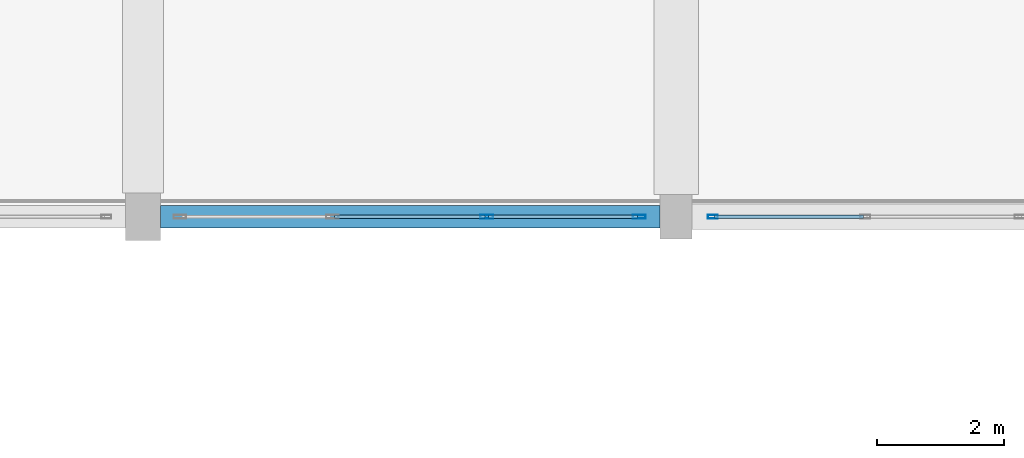
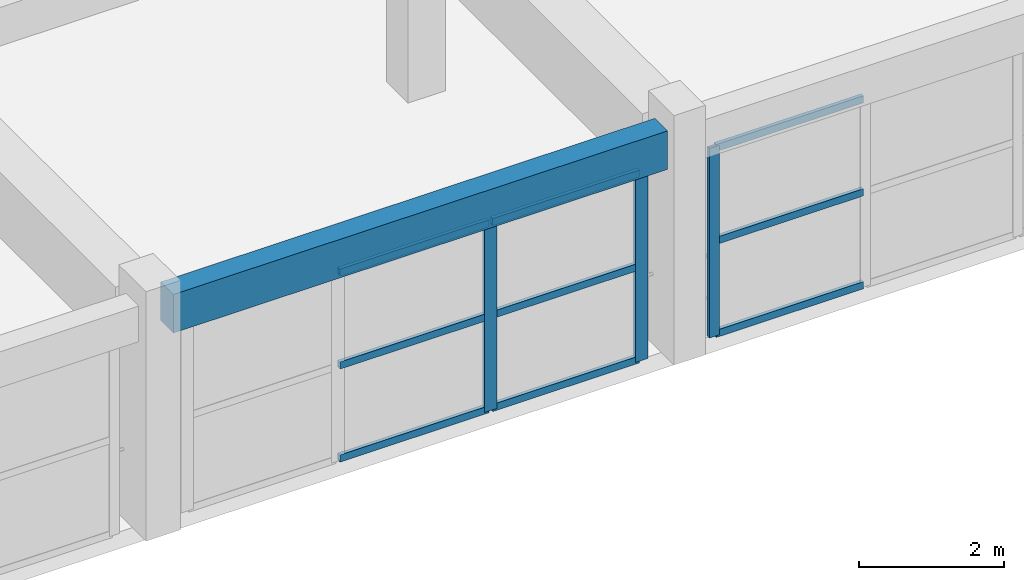
# One storey, part 17 of 74: 12 members, 1 beam, 2 elements without a shape of their own.
"""IFC4 building model written with IfcOpenShell, lengths in metres."""

from ifc_helpers import new_model, si_unit, direction, frame, origin, origin_2d, place, context, subcontext, project, spatial, rectangle, hollow_rectangle, extrude, material, material_profile, profile_set, type_object, element, aggregate, save


model = new_model("IFC4")

# Units and contexts
model_context = context("Model", 3, precision=1e-05, world=origin(), true_north=direction((0.0, 1.0)))
body_context = subcontext(model_context, "Body", "Model", "MODEL_VIEW")
ifc_project = project(units=[si_unit("LENGTHUNIT", "METRE"), si_unit("AREAUNIT", "SQUARE_METRE"), si_unit("VOLUMEUNIT", "CUBIC_METRE"), si_unit("PLANEANGLEUNIT", "RADIAN"), si_unit("MASSUNIT", "GRAM", prefix="KILO")], contexts=[model_context])

# Site, building, storey
site_placement = place(None, origin())
site = spatial("IfcSite", under=ifc_project, at=site_placement, CompositionType="ELEMENT")
building_placement = place(site_placement, origin())
building = spatial("IfcBuilding", under=site, at=building_placement, Name="Korsvaeld Concert Hall", CompositionType="ELEMENT")
storey_placement = place(building_placement, frame((0.0, 0.0, 9.0)))
storey = spatial("IfcBuildingStorey", under=building, at=storey_placement, Name="L02", CompositionType="ELEMENT", Elevation=9.0)

# Beam
ifc_material_1 = material(Name="Concrete C35/45", Category="concrete")
ifc_material_profile_1 = material_profile(ifc_material_1, rectangle(XDim=0.35009765625, YDim=0.64990234375, at=origin_2d()), Name="RC 350x650")
ifc_profile_set_1 = profile_set([ifc_material_profile_1], Name="Concrete C35/45")
beam_type = type_object("IfcBeamType", Name="BM-RC-350x650", PredefinedType="T_BEAM", material=ifc_profile_set_1)
beam_placement = place(storey_placement, frame((92.675048828125, 28.800048828125, 3.514892578125), z_axis=(1.0, 0.0, 0.0), x_axis=(0.0, 1.0, 0.0)))
element("IfcBeam", 1, at=beam_placement, inside=storey, type_object=beam_type, Name="Primary girder 13-14/E L02", PredefinedType="T_BEAM", context=body_context, shape_type="SweptSolid", body=[
    extrude(rectangle(XDim=0.35009765625, YDim=0.64990234375, at=origin_2d()), origin(), (0.0, 0.0, 1.0), 7.875),
])

# Curtain wall, member
ifc_material_2 = material(Name="Anodised bronze and ceramic-fritted safety glass", Category="glass")
curtain_wall_type_1 = type_object("IfcCurtainWallType", Name="CW-TYPE-13", PredefinedType="USERDEFINED", material=ifc_material_2)
curtain_wall_1_placement = place(storey_placement, origin())
curtain_wall_1 = element("IfcCurtainWall", 2, at=curtain_wall_1_placement, inside=storey, type_object=curtain_wall_type_1, Name="Wintergarden foyer curtain wall L02-13", ObjectType="CURTAIN WALL", PredefinedType="USERDEFINED")
ifc_material_3 = material(Name="Anodised architectural bronze aluminium", Category="aluminium")
ifc_material_profile_2 = material_profile(ifc_material_3, hollow_rectangle(XDim=0.06005859375, YDim=0.159912109375, WallThickness=0.00390625, at=origin_2d()), Name="CWM 160x60x4")
ifc_profile_set_2 = profile_set([ifc_material_profile_2], Name="Anodised architectural bronze aluminium")
member_type_1 = type_object("IfcMemberType", Name="CWM-ALUM-160x60", PredefinedType="MULLION", material=ifc_profile_set_2)
member_1_placement = place(storey_placement, frame((101.3798828125, 28.800048828125, 0.0), z_axis=(0.0, 0.0, 1.0), x_axis=(0.0, -1.0, 0.0)))
member_1 = element("IfcMember", 3, at=member_1_placement, type_object=member_type_1, Name="CW-13 mullion 4", PredefinedType="MULLION", context=body_context, shape_type="SweptSolid", body=[
    extrude(hollow_rectangle(XDim=0.06005859375, YDim=0.159912109375, WallThickness=0.00390625, at=origin_2d()), origin(), (0.0, 0.0, 1.0), 3.18994140625),
])

# Curtain wall, members
curtain_wall_type_2 = type_object("IfcCurtainWallType", Name="CW-TYPE-14", PredefinedType="USERDEFINED", material=ifc_material_2)
curtain_wall_2_placement = place(storey_placement, origin())
curtain_wall_2 = element("IfcCurtainWall", 4, at=curtain_wall_2_placement, inside=storey, type_object=curtain_wall_type_2, Name="Wintergarden foyer curtain wall L02-14", ObjectType="CURTAIN WALL", PredefinedType="USERDEFINED")
ifc_material_profile_3 = material_profile(ifc_material_3, hollow_rectangle(XDim=0.06005859375, YDim=0.199951171875, WallThickness=0.0048828125, at=origin_2d()), Name="CWM 200x60x5")
ifc_profile_set_3 = profile_set([ifc_material_profile_3], Name="Anodised architectural bronze aluminium")
member_type_2 = type_object("IfcMemberType", Name="CWM-ALUM-200x60", PredefinedType="MULLION", material=ifc_profile_set_3)
member_2_placement = place(storey_placement, frame((100.219970703125, 28.800048828125, 0.0), z_axis=(0.0, 0.0, 1.0), x_axis=(0.0, -1.0, 0.0)))
member_2 = element("IfcMember", 5, at=member_2_placement, type_object=member_type_2, Name="CW-14 mullion 1", PredefinedType="MULLION", context=body_context, shape_type="SweptSolid", body=[
    extrude(hollow_rectangle(XDim=0.06005859375, YDim=0.199951171875, WallThickness=0.0048828125, at=origin_2d()), origin(), (0.0, 0.0, 1.0), 3.18994140625),
])
member_3_placement = place(storey_placement, frame((97.816650390625, 28.800048828125, 0.0), z_axis=(0.0, 0.0, 1.0), x_axis=(0.0, -1.0, 0.0)))
member_3 = element("IfcMember", 6, at=member_3_placement, type_object=member_type_2, Name="CW-14 mullion 2", PredefinedType="MULLION", context=body_context, shape_type="SweptSolid", body=[
    extrude(hollow_rectangle(XDim=0.06005859375, YDim=0.199951171875, WallThickness=0.0048828125, at=origin_2d()), origin(), (0.0, 0.0, 1.0), 3.18994140625),
])

# Member
ifc_material_profile_4 = material_profile(ifc_material_3, hollow_rectangle(XDim=0.06005859375, YDim=0.1201171875, WallThickness=0.00390625, at=origin_2d()), Name="CWT 120x60x4")
ifc_profile_set_4 = profile_set([ifc_material_profile_4], Name="Anodised architectural bronze aluminium")
member_type_3 = type_object("IfcMemberType", Name="CWT-ALUM-120x60", PredefinedType="USERDEFINED", material=ifc_profile_set_4)
member_4_placement = place(storey_placement, frame((103.75341796875, 28.800048828125, 0.030029296875), z_axis=(-1.0, 0.0, 0.0), x_axis=(0.0, -1.0, 0.0)))
member_4 = element("IfcMember", 7, at=member_4_placement, type_object=member_type_3, Name="CW-13 transom 3.1", ObjectType="TRANSOM", PredefinedType="USERDEFINED", context=body_context, shape_type="SweptSolid", body=[
    extrude(hollow_rectangle(XDim=0.06005859375, YDim=0.1201171875, WallThickness=0.00390625, at=origin_2d()), origin(), (0.0, 0.0, 1.0), 2.343505859375),
])

member_5_placement = place(storey_placement, frame((103.75341796875, 28.800048828125, 1.594970703125), z_axis=(-1.0, 0.0, 0.0), x_axis=(0.0, -1.0, 0.0)))
member_5 = element("IfcMember", 8, at=member_5_placement, type_object=member_type_3, Name="CW-13 transom 3.2", ObjectType="TRANSOM", PredefinedType="USERDEFINED", context=body_context, shape_type="SweptSolid", body=[
    extrude(hollow_rectangle(XDim=0.06005859375, YDim=0.1201171875, WallThickness=0.00390625, at=origin_2d()), origin(), (0.0, 0.0, 1.0), 2.343505859375),
])

member_6_placement = place(storey_placement, frame((103.75341796875, 28.800048828125, 3.159912109375), z_axis=(-1.0, 0.0, 0.0), x_axis=(0.0, -1.0, 0.0)))
member_6 = element("IfcMember", 9, at=member_6_placement, type_object=member_type_3, Name="CW-13 transom 3.3", ObjectType="TRANSOM", PredefinedType="USERDEFINED", context=body_context, shape_type="SweptSolid", body=[
    extrude(hollow_rectangle(XDim=0.06005859375, YDim=0.1201171875, WallThickness=0.00390625, at=origin_2d()), origin(), (0.0, 0.0, 1.0), 2.343505859375),
])

aggregate(curtain_wall_1, [member_1, member_4, member_5, member_6])

member_7_placement = place(storey_placement, frame((100.18994140625, 28.800048828125, 0.030029296875), z_axis=(-1.0, 0.0, 0.0), x_axis=(0.0, -1.0, 0.0)))
member_7 = element("IfcMember", 10, at=member_7_placement, type_object=member_type_3, Name="CW-14 transom 1.1", ObjectType="TRANSOM", PredefinedType="USERDEFINED", context=body_context, shape_type="SweptSolid", body=[
    extrude(hollow_rectangle(XDim=0.06005859375, YDim=0.1201171875, WallThickness=0.00390625, at=origin_2d()), origin(), (0.0, 0.0, 1.0), 2.34326171875),
])

member_8_placement = place(storey_placement, frame((100.18994140625, 28.800048828125, 1.594970703125), z_axis=(-1.0, 0.0, 0.0), x_axis=(0.0, -1.0, 0.0)))
member_8 = element("IfcMember", 11, at=member_8_placement, type_object=member_type_3, Name="CW-14 transom 1.2", ObjectType="TRANSOM", PredefinedType="USERDEFINED", context=body_context, shape_type="SweptSolid", body=[
    extrude(hollow_rectangle(XDim=0.06005859375, YDim=0.1201171875, WallThickness=0.00390625, at=origin_2d()), origin(), (0.0, 0.0, 1.0), 2.34326171875),
])

member_9_placement = place(storey_placement, frame((100.18994140625, 28.800048828125, 3.159912109375), z_axis=(-1.0, 0.0, 0.0), x_axis=(0.0, -1.0, 0.0)))
member_9 = element("IfcMember", 12, at=member_9_placement, type_object=member_type_3, Name="CW-14 transom 1.3", ObjectType="TRANSOM", PredefinedType="USERDEFINED", context=body_context, shape_type="SweptSolid", body=[
    extrude(hollow_rectangle(XDim=0.06005859375, YDim=0.1201171875, WallThickness=0.00390625, at=origin_2d()), origin(), (0.0, 0.0, 1.0), 2.34326171875),
])

member_10_placement = place(storey_placement, frame((97.78662109375, 28.800048828125, 0.030029296875), z_axis=(-1.0, 0.0, 0.0), x_axis=(0.0, -1.0, 0.0)))
member_10 = element("IfcMember", 13, at=member_10_placement, type_object=member_type_3, Name="CW-14 transom 2.1", ObjectType="TRANSOM", PredefinedType="USERDEFINED", context=body_context, shape_type="SweptSolid", body=[
    extrude(hollow_rectangle(XDim=0.06005859375, YDim=0.1201171875, WallThickness=0.00390625, at=origin_2d()), origin(), (0.0, 0.0, 1.0), 2.373291015625),
])

member_11_placement = place(storey_placement, frame((97.78662109375, 28.800048828125, 1.594970703125), z_axis=(-1.0, 0.0, 0.0), x_axis=(0.0, -1.0, 0.0)))
member_11 = element("IfcMember", 14, at=member_11_placement, type_object=member_type_3, Name="CW-14 transom 2.2", ObjectType="TRANSOM", PredefinedType="USERDEFINED", context=body_context, shape_type="SweptSolid", body=[
    extrude(hollow_rectangle(XDim=0.06005859375, YDim=0.1201171875, WallThickness=0.00390625, at=origin_2d()), origin(), (0.0, 0.0, 1.0), 2.373291015625),
])

member_12_placement = place(storey_placement, frame((97.78662109375, 28.800048828125, 3.159912109375), z_axis=(-1.0, 0.0, 0.0), x_axis=(0.0, -1.0, 0.0)))
member_12 = element("IfcMember", 15, at=member_12_placement, type_object=member_type_3, Name="CW-14 transom 2.3", ObjectType="TRANSOM", PredefinedType="USERDEFINED", context=body_context, shape_type="SweptSolid", body=[
    extrude(hollow_rectangle(XDim=0.06005859375, YDim=0.1201171875, WallThickness=0.00390625, at=origin_2d()), origin(), (0.0, 0.0, 1.0), 2.373291015625),
])

aggregate(curtain_wall_2, [member_2, member_3, member_7, member_8, member_9, member_10, member_11, member_12])

save(model, "model.ifc")
